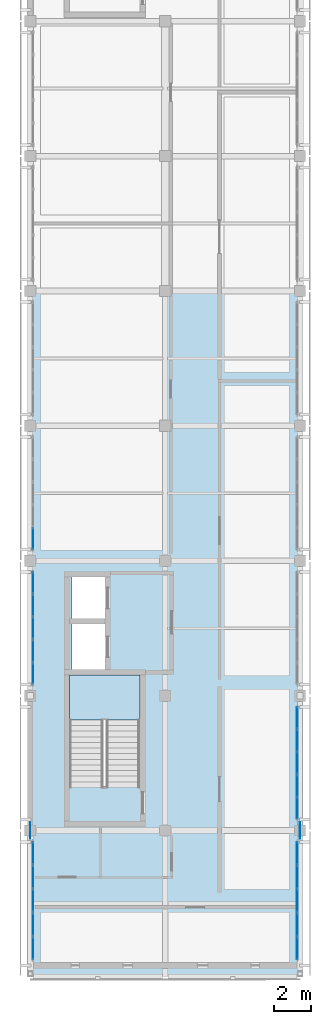
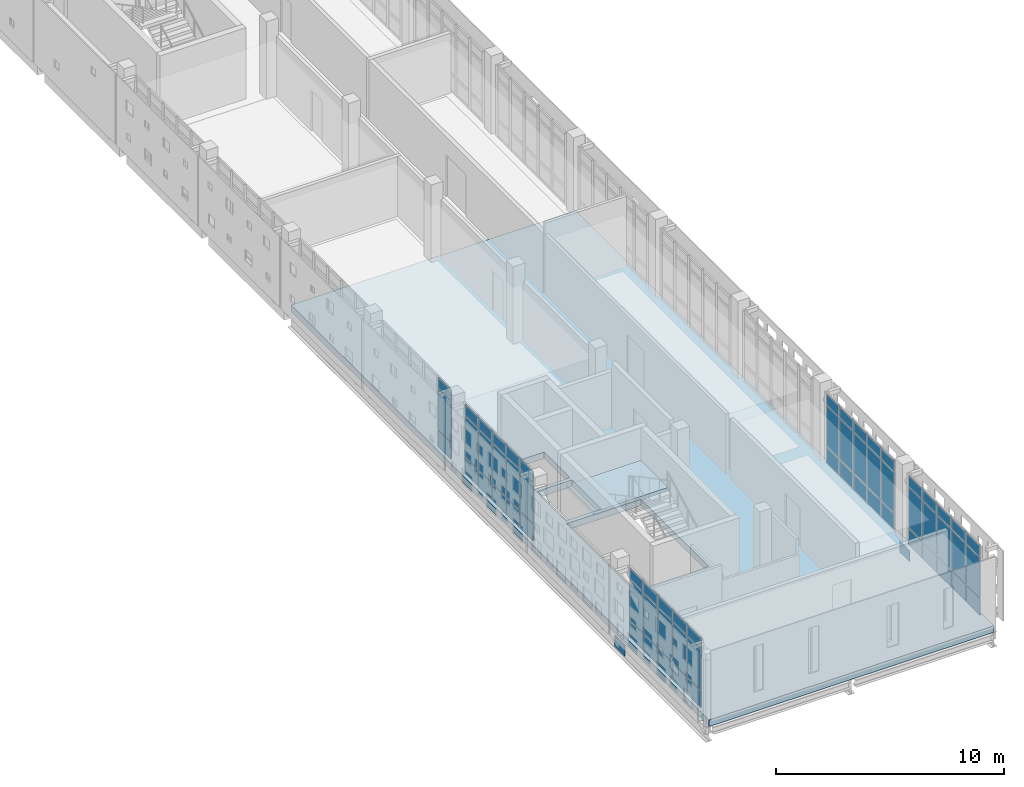
# One storey, part 11 of 21: 65 plates, 2 slabs, 6 elements without a shape of their own.
"""IFC4 building model written with IfcOpenShell, lengths in metres."""

from ifc_helpers import new_model, si_unit, direction, frame, origin, origin_2d, place, context, subcontext, project, spatial, polyline, rectangle, outline, extrude, material, layer, layer_set, type_object, element, aggregate, save


model = new_model("IFC4")

# Units and contexts
model_context = context("Model", 3, precision=1e-05, world=origin(), true_north=direction((0.0, 1.0)))
body_context = subcontext(model_context, "Body", "Model", "MODEL_VIEW")
ifc_project = project(units=[si_unit("LENGTHUNIT", "METRE"), si_unit("AREAUNIT", "SQUARE_METRE"), si_unit("VOLUMEUNIT", "CUBIC_METRE"), si_unit("PLANEANGLEUNIT", "RADIAN"), si_unit("MASSUNIT", "GRAM", prefix="KILO")], contexts=[model_context])

# Site, building, storey
site_placement = place(None, origin())
site = spatial("IfcSite", under=ifc_project, at=site_placement, CompositionType="ELEMENT")
building_placement = place(site_placement, origin())
building = spatial("IfcBuilding", under=site, at=building_placement, Name="Valkovuoma Quantum and Materials Research Institute", CompositionType="ELEMENT")
storey_placement = place(building_placement, frame((0.0, 0.0, 33.919921875)))
storey = spatial("IfcBuildingStorey", under=building, at=storey_placement, Name="L08", CompositionType="ELEMENT", Elevation=33.919921875)

# Curtain wall, plates
ifc_material_1 = material(Name="Thermally broken aluminium and triple low-E glazing", Category="aluminium")
ifc_layer_1 = layer(ifc_material_1, 0.219970703125)
ifc_layer_set_1 = layer_set([ifc_layer_1], Name="Thermally broken aluminium and triple low-E glazing")
curtain_wall_type = type_object("IfcCurtainWallType", Name="CW-CW-01", PredefinedType="NOTDEFINED", material=ifc_layer_set_1)
curtain_wall_1_placement = place(storey_placement, origin())
curtain_wall_1 = element("IfcCurtainWall", 1, at=curtain_wall_1_placement, inside=storey, type_object=curtain_wall_type, Name="L08 curtain wall 109", PredefinedType="NOTDEFINED")
ifc_material_2 = material(Name="Triple low-E argon insulating glass", Category="glass")
ifc_layer_2 = layer(ifc_material_2, 0.035888671875)
ifc_layer_set_2 = layer_set([ifc_layer_2], Name="Triple low-E argon insulating glass")
plate_type_1 = type_object("IfcPlateType", Name="CWPanel-CWP-01", PredefinedType="CURTAIN_PANEL", material=ifc_layer_set_2)
plate_1_placement = place(storey_placement, frame((0.14990234375, 22.521728515625, 0.06494140625), z_axis=(0.0, 0.0, 1.0), x_axis=(0.0, 1.0, 0.0)))
plate_1 = element("IfcPlate", 2, at=plate_1_placement, type_object=plate_type_1, Name="CW-01 panel 1.1", PredefinedType="CURTAIN_PANEL", context=body_context, shape_type="SweptSolid", body=[
    extrude(rectangle(XDim=1.177490234375, YDim=0.035888671875, at=origin_2d()), origin(), (0.0, 0.0, 1.0), 0.8525390625),
])
plate_2_placement = place(storey_placement, frame((0.14990234375, 22.521728515625, 0.982666015625), z_axis=(0.0, 0.0, 1.0), x_axis=(0.0, 1.0, 0.0)))
plate_2 = element("IfcPlate", 3, at=plate_2_placement, type_object=plate_type_1, Name="CW-01 panel 1.2", PredefinedType="CURTAIN_PANEL", context=body_context, shape_type="SweptSolid", body=[
    extrude(rectangle(XDim=1.177490234375, YDim=0.035888671875, at=origin_2d()), origin(), (0.0, 0.0, 1.0), 2.14501953125),
])
plate_3_placement = place(storey_placement, frame((0.14990234375, 22.521728515625, 3.1923828125), z_axis=(0.0, 0.0, 1.0), x_axis=(0.0, 1.0, 0.0)))
plate_3 = element("IfcPlate", 4, at=plate_3_placement, type_object=plate_type_1, Name="CW-01 panel 1.3", PredefinedType="CURTAIN_PANEL", context=body_context, shape_type="SweptSolid", body=[
    extrude(rectangle(XDim=1.177490234375, YDim=0.035888671875, at=origin_2d()), origin(), (0.0, 0.0, 1.0), 0.552490234375),
])
plate_4_placement = place(storey_placement, frame((0.14990234375, 23.780517578125, 0.06494140625), z_axis=(0.0, 0.0, 1.0), x_axis=(0.0, 1.0, 0.0)))
plate_4 = element("IfcPlate", 5, at=plate_4_placement, type_object=plate_type_1, Name="CW-01 panel 2.1", PredefinedType="CURTAIN_PANEL", context=body_context, shape_type="SweptSolid", body=[
    extrude(rectangle(XDim=1.2099609375, YDim=0.035888671875, at=origin_2d()), origin(), (0.0, 0.0, 1.0), 0.8525390625),
])
plate_5_placement = place(storey_placement, frame((0.14990234375, 23.780517578125, 0.982666015625), z_axis=(0.0, 0.0, 1.0), x_axis=(0.0, 1.0, 0.0)))
plate_5 = element("IfcPlate", 6, at=plate_5_placement, type_object=plate_type_1, Name="CW-01 panel 2.2", PredefinedType="CURTAIN_PANEL", context=body_context, shape_type="SweptSolid", body=[
    extrude(rectangle(XDim=1.2099609375, YDim=0.035888671875, at=origin_2d()), origin(), (0.0, 0.0, 1.0), 2.14501953125),
])
plate_6_placement = place(storey_placement, frame((0.14990234375, 23.780517578125, 3.1923828125), z_axis=(0.0, 0.0, 1.0), x_axis=(0.0, 1.0, 0.0)))
plate_6 = element("IfcPlate", 7, at=plate_6_placement, type_object=plate_type_1, Name="CW-01 panel 2.3", PredefinedType="CURTAIN_PANEL", context=body_context, shape_type="SweptSolid", body=[
    extrude(rectangle(XDim=1.2099609375, YDim=0.035888671875, at=origin_2d()), origin(), (0.0, 0.0, 1.0), 0.552490234375),
])
plate_7_placement = place(storey_placement, frame((0.14990234375, 25.055419921875, 0.06494140625), z_axis=(0.0, 0.0, 1.0), x_axis=(0.0, 1.0, 0.0)))
plate_7 = element("IfcPlate", 8, at=plate_7_placement, type_object=plate_type_1, Name="CW-01 panel 3.1", PredefinedType="CURTAIN_PANEL", context=body_context, shape_type="SweptSolid", body=[
    extrude(rectangle(XDim=1.2099609375, YDim=0.035888671875, at=origin_2d()), origin(), (0.0, 0.0, 1.0), 0.8525390625),
])
plate_8_placement = place(storey_placement, frame((0.14990234375, 25.055419921875, 0.982666015625), z_axis=(0.0, 0.0, 1.0), x_axis=(0.0, 1.0, 0.0)))
plate_8 = element("IfcPlate", 9, at=plate_8_placement, type_object=plate_type_1, Name="CW-01 panel 3.2", PredefinedType="CURTAIN_PANEL", context=body_context, shape_type="SweptSolid", body=[
    extrude(rectangle(XDim=1.2099609375, YDim=0.035888671875, at=origin_2d()), origin(), (0.0, 0.0, 1.0), 2.14501953125),
])
plate_9_placement = place(storey_placement, frame((0.14990234375, 25.055419921875, 3.1923828125), z_axis=(0.0, 0.0, 1.0), x_axis=(0.0, 1.0, 0.0)))
plate_9 = element("IfcPlate", 10, at=plate_9_placement, type_object=plate_type_1, Name="CW-01 panel 3.3", PredefinedType="CURTAIN_PANEL", context=body_context, shape_type="SweptSolid", body=[
    extrude(rectangle(XDim=1.2099609375, YDim=0.035888671875, at=origin_2d()), origin(), (0.0, 0.0, 1.0), 0.552490234375),
])
plate_10_placement = place(storey_placement, frame((0.14990234375, 26.330322265625, 0.06494140625), z_axis=(0.0, 0.0, 1.0), x_axis=(0.0, 1.0, 0.0)))
plate_10 = element("IfcPlate", 11, at=plate_10_placement, type_object=plate_type_1, Name="CW-01 panel 4.1", PredefinedType="CURTAIN_PANEL", context=body_context, shape_type="SweptSolid", body=[
    extrude(rectangle(XDim=1.2099609375, YDim=0.035888671875, at=origin_2d()), origin(), (0.0, 0.0, 1.0), 0.8525390625),
])
plate_11_placement = place(storey_placement, frame((0.14990234375, 26.330322265625, 0.982666015625), z_axis=(0.0, 0.0, 1.0), x_axis=(0.0, 1.0, 0.0)))
plate_11 = element("IfcPlate", 12, at=plate_11_placement, type_object=plate_type_1, Name="CW-01 panel 4.2", PredefinedType="CURTAIN_PANEL", context=body_context, shape_type="SweptSolid", body=[
    extrude(rectangle(XDim=1.2099609375, YDim=0.035888671875, at=origin_2d()), origin(), (0.0, 0.0, 1.0), 2.14501953125),
])
plate_12_placement = place(storey_placement, frame((0.14990234375, 26.330322265625, 3.1923828125), z_axis=(0.0, 0.0, 1.0), x_axis=(0.0, 1.0, 0.0)))
plate_12 = element("IfcPlate", 13, at=plate_12_placement, type_object=plate_type_1, Name="CW-01 panel 4.3", PredefinedType="CURTAIN_PANEL", context=body_context, shape_type="SweptSolid", body=[
    extrude(rectangle(XDim=1.2099609375, YDim=0.035888671875, at=origin_2d()), origin(), (0.0, 0.0, 1.0), 0.552490234375),
])
plate_13_placement = place(storey_placement, frame((0.14990234375, 27.589111328125, 0.06494140625), z_axis=(0.0, 0.0, 1.0), x_axis=(0.0, 1.0, 0.0)))
plate_13 = element("IfcPlate", 14, at=plate_13_placement, type_object=plate_type_1, Name="CW-01 panel 5.1", PredefinedType="CURTAIN_PANEL", context=body_context, shape_type="SweptSolid", body=[
    extrude(rectangle(XDim=1.177490234375, YDim=0.035888671875, at=origin_2d()), origin(), (0.0, 0.0, 1.0), 0.8525390625),
])
plate_14_placement = place(storey_placement, frame((0.14990234375, 27.589111328125, 0.982666015625), z_axis=(0.0, 0.0, 1.0), x_axis=(0.0, 1.0, 0.0)))
plate_14 = element("IfcPlate", 15, at=plate_14_placement, type_object=plate_type_1, Name="CW-01 panel 5.2", PredefinedType="CURTAIN_PANEL", context=body_context, shape_type="SweptSolid", body=[
    extrude(rectangle(XDim=1.177490234375, YDim=0.035888671875, at=origin_2d()), origin(), (0.0, 0.0, 1.0), 2.14501953125),
])
plate_15_placement = place(storey_placement, frame((0.14990234375, 27.589111328125, 3.1923828125), z_axis=(0.0, 0.0, 1.0), x_axis=(0.0, 1.0, 0.0)))
plate_15 = element("IfcPlate", 16, at=plate_15_placement, type_object=plate_type_1, Name="CW-01 panel 5.3", PredefinedType="CURTAIN_PANEL", context=body_context, shape_type="SweptSolid", body=[
    extrude(rectangle(XDim=1.177490234375, YDim=0.035888671875, at=origin_2d()), origin(), (0.0, 0.0, 1.0), 0.552490234375),
])
aggregate(curtain_wall_1, [plate_1, plate_2, plate_3, plate_4, plate_5, plate_6, plate_7, plate_8, plate_9, plate_10, plate_11, plate_12, plate_13, plate_14, plate_15])

curtain_wall_2_placement = place(storey_placement, origin())
curtain_wall_2 = element("IfcCurtainWall", 17, at=curtain_wall_2_placement, inside=storey, type_object=curtain_wall_type, Name="L08 curtain wall 112", PredefinedType="NOTDEFINED")
plate_16_placement = place(storey_placement, frame((0.14990234375, 37.181884765625, 0.06494140625), z_axis=(0.0, 0.0, 1.0), x_axis=(0.0, 1.0, 0.0)))
plate_16 = element("IfcPlate", 18, at=plate_16_placement, type_object=plate_type_1, Name="CW-01 panel 1.1", PredefinedType="CURTAIN_PANEL", context=body_context, shape_type="SweptSolid", body=[
    extrude(rectangle(XDim=1.11962890625, YDim=0.035888671875, at=origin_2d()), origin(), (0.0, 0.0, 1.0), 0.8525390625),
])
plate_17_placement = place(storey_placement, frame((0.14990234375, 37.181884765625, 0.982666015625), z_axis=(0.0, 0.0, 1.0), x_axis=(0.0, 1.0, 0.0)))
plate_17 = element("IfcPlate", 19, at=plate_17_placement, type_object=plate_type_1, Name="CW-01 panel 1.2", PredefinedType="CURTAIN_PANEL", context=body_context, shape_type="SweptSolid", body=[
    extrude(rectangle(XDim=1.11962890625, YDim=0.035888671875, at=origin_2d()), origin(), (0.0, 0.0, 1.0), 2.14501953125),
])
plate_18_placement = place(storey_placement, frame((0.14990234375, 37.181884765625, 3.1923828125), z_axis=(0.0, 0.0, 1.0), x_axis=(0.0, 1.0, 0.0)))
plate_18 = element("IfcPlate", 20, at=plate_18_placement, type_object=plate_type_1, Name="CW-01 panel 1.3", PredefinedType="CURTAIN_PANEL", context=body_context, shape_type="SweptSolid", body=[
    extrude(rectangle(XDim=1.11962890625, YDim=0.035888671875, at=origin_2d()), origin(), (0.0, 0.0, 1.0), 0.552490234375),
])
plate_19_placement = place(storey_placement, frame((0.14990234375, 38.3828125, 0.06494140625), z_axis=(0.0, 0.0, 1.0), x_axis=(0.0, 1.0, 0.0)))
plate_19 = element("IfcPlate", 21, at=plate_19_placement, type_object=plate_type_1, Name="CW-01 panel 2.1", PredefinedType="CURTAIN_PANEL", context=body_context, shape_type="SweptSolid", body=[
    extrude(rectangle(XDim=1.152099609375, YDim=0.035888671875, at=origin_2d()), origin(), (0.0, 0.0, 1.0), 0.8525390625),
])
plate_20_placement = place(storey_placement, frame((0.14990234375, 38.3828125, 0.982666015625), z_axis=(0.0, 0.0, 1.0), x_axis=(0.0, 1.0, 0.0)))
plate_20 = element("IfcPlate", 22, at=plate_20_placement, type_object=plate_type_1, Name="CW-01 panel 2.2", PredefinedType="CURTAIN_PANEL", context=body_context, shape_type="SweptSolid", body=[
    extrude(rectangle(XDim=1.152099609375, YDim=0.035888671875, at=origin_2d()), origin(), (0.0, 0.0, 1.0), 2.14501953125),
])
plate_21_placement = place(storey_placement, frame((0.14990234375, 38.3828125, 3.1923828125), z_axis=(0.0, 0.0, 1.0), x_axis=(0.0, 1.0, 0.0)))
plate_21 = element("IfcPlate", 23, at=plate_21_placement, type_object=plate_type_1, Name="CW-01 panel 2.3", PredefinedType="CURTAIN_PANEL", context=body_context, shape_type="SweptSolid", body=[
    extrude(rectangle(XDim=1.152099609375, YDim=0.035888671875, at=origin_2d()), origin(), (0.0, 0.0, 1.0), 0.552490234375),
])
plate_22_placement = place(storey_placement, frame((0.14990234375, 39.60009765625, 0.06494140625), z_axis=(0.0, 0.0, 1.0), x_axis=(0.0, 1.0, 0.0)))
plate_22 = element("IfcPlate", 24, at=plate_22_placement, type_object=plate_type_1, Name="CW-01 panel 3.1", PredefinedType="CURTAIN_PANEL", context=body_context, shape_type="SweptSolid", body=[
    extrude(rectangle(XDim=1.152099609375, YDim=0.035888671875, at=origin_2d()), origin(), (0.0, 0.0, 1.0), 0.8525390625),
])
plate_23_placement = place(storey_placement, frame((0.14990234375, 39.60009765625, 0.982666015625), z_axis=(0.0, 0.0, 1.0), x_axis=(0.0, 1.0, 0.0)))
plate_23 = element("IfcPlate", 25, at=plate_23_placement, type_object=plate_type_1, Name="CW-01 panel 3.2", PredefinedType="CURTAIN_PANEL", context=body_context, shape_type="SweptSolid", body=[
    extrude(rectangle(XDim=1.152099609375, YDim=0.035888671875, at=origin_2d()), origin(), (0.0, 0.0, 1.0), 2.14501953125),
])
plate_24_placement = place(storey_placement, frame((0.14990234375, 39.60009765625, 3.1923828125), z_axis=(0.0, 0.0, 1.0), x_axis=(0.0, 1.0, 0.0)))
plate_24 = element("IfcPlate", 26, at=plate_24_placement, type_object=plate_type_1, Name="CW-01 panel 3.3", PredefinedType="CURTAIN_PANEL", context=body_context, shape_type="SweptSolid", body=[
    extrude(rectangle(XDim=1.152099609375, YDim=0.035888671875, at=origin_2d()), origin(), (0.0, 0.0, 1.0), 0.552490234375),
])
plate_25_placement = place(storey_placement, frame((0.14990234375, 40.817138671875, 0.06494140625), z_axis=(0.0, 0.0, 1.0), x_axis=(0.0, 1.0, 0.0)))
plate_25 = element("IfcPlate", 27, at=plate_25_placement, type_object=plate_type_1, Name="CW-01 panel 4.1", PredefinedType="CURTAIN_PANEL", context=body_context, shape_type="SweptSolid", body=[
    extrude(rectangle(XDim=1.152099609375, YDim=0.035888671875, at=origin_2d()), origin(), (0.0, 0.0, 1.0), 0.8525390625),
])
plate_26_placement = place(storey_placement, frame((0.14990234375, 40.817138671875, 0.982666015625), z_axis=(0.0, 0.0, 1.0), x_axis=(0.0, 1.0, 0.0)))
plate_26 = element("IfcPlate", 28, at=plate_26_placement, type_object=plate_type_1, Name="CW-01 panel 4.2", PredefinedType="CURTAIN_PANEL", context=body_context, shape_type="SweptSolid", body=[
    extrude(rectangle(XDim=1.152099609375, YDim=0.035888671875, at=origin_2d()), origin(), (0.0, 0.0, 1.0), 2.14501953125),
])
plate_27_placement = place(storey_placement, frame((0.14990234375, 40.817138671875, 3.1923828125), z_axis=(0.0, 0.0, 1.0), x_axis=(0.0, 1.0, 0.0)))
plate_27 = element("IfcPlate", 29, at=plate_27_placement, type_object=plate_type_1, Name="CW-01 panel 4.3", PredefinedType="CURTAIN_PANEL", context=body_context, shape_type="SweptSolid", body=[
    extrude(rectangle(XDim=1.152099609375, YDim=0.035888671875, at=origin_2d()), origin(), (0.0, 0.0, 1.0), 0.552490234375),
])
plate_28_placement = place(storey_placement, frame((0.14990234375, 42.01806640625, 0.06494140625), z_axis=(0.0, 0.0, 1.0), x_axis=(0.0, 1.0, 0.0)))
plate_28 = element("IfcPlate", 30, at=plate_28_placement, type_object=plate_type_1, Name="CW-01 panel 5.1", PredefinedType="CURTAIN_PANEL", context=body_context, shape_type="SweptSolid", body=[
    extrude(rectangle(XDim=1.11962890625, YDim=0.035888671875, at=origin_2d()), origin(), (0.0, 0.0, 1.0), 0.8525390625),
])
plate_29_placement = place(storey_placement, frame((0.14990234375, 42.01806640625, 0.982666015625), z_axis=(0.0, 0.0, 1.0), x_axis=(0.0, 1.0, 0.0)))
plate_29 = element("IfcPlate", 31, at=plate_29_placement, type_object=plate_type_1, Name="CW-01 panel 5.2", PredefinedType="CURTAIN_PANEL", context=body_context, shape_type="SweptSolid", body=[
    extrude(rectangle(XDim=1.11962890625, YDim=0.035888671875, at=origin_2d()), origin(), (0.0, 0.0, 1.0), 2.14501953125),
])
plate_30_placement = place(storey_placement, frame((0.14990234375, 42.01806640625, 3.1923828125), z_axis=(0.0, 0.0, 1.0), x_axis=(0.0, 1.0, 0.0)))
plate_30 = element("IfcPlate", 32, at=plate_30_placement, type_object=plate_type_1, Name="CW-01 panel 5.3", PredefinedType="CURTAIN_PANEL", context=body_context, shape_type="SweptSolid", body=[
    extrude(rectangle(XDim=1.11962890625, YDim=0.035888671875, at=origin_2d()), origin(), (0.0, 0.0, 1.0), 0.552490234375),
])
aggregate(curtain_wall_2, [plate_16, plate_17, plate_18, plate_19, plate_20, plate_21, plate_22, plate_23, plate_24, plate_25, plate_26, plate_27, plate_28, plate_29, plate_30])

curtain_wall_3_placement = place(storey_placement, origin())
curtain_wall_3 = element("IfcCurtainWall", 33, at=curtain_wall_3_placement, inside=storey, type_object=curtain_wall_type, Name="L08 curtain wall 114", PredefinedType="NOTDEFINED")
plate_31_placement = place(storey_placement, frame((0.14990234375, 44.3818359375, 0.06494140625), z_axis=(0.0, 0.0, 1.0), x_axis=(0.0, 1.0, 0.0)))
plate_31 = element("IfcPlate", 34, at=plate_31_placement, type_object=plate_type_1, Name="CW-01 panel 1.1", PredefinedType="CURTAIN_PANEL", context=body_context, shape_type="SweptSolid", body=[
    extrude(rectangle(XDim=1.11962890625, YDim=0.035888671875, at=origin_2d()), origin(), (0.0, 0.0, 1.0), 0.8525390625),
])
plate_32_placement = place(storey_placement, frame((0.14990234375, 44.3818359375, 0.982666015625), z_axis=(0.0, 0.0, 1.0), x_axis=(0.0, 1.0, 0.0)))
plate_32 = element("IfcPlate", 35, at=plate_32_placement, type_object=plate_type_1, Name="CW-01 panel 1.2", PredefinedType="CURTAIN_PANEL", context=body_context, shape_type="SweptSolid", body=[
    extrude(rectangle(XDim=1.11962890625, YDim=0.035888671875, at=origin_2d()), origin(), (0.0, 0.0, 1.0), 2.14501953125),
])
plate_33_placement = place(storey_placement, frame((0.14990234375, 44.3818359375, 3.1923828125), z_axis=(0.0, 0.0, 1.0), x_axis=(0.0, 1.0, 0.0)))
plate_33 = element("IfcPlate", 36, at=plate_33_placement, type_object=plate_type_1, Name="CW-01 panel 1.3", PredefinedType="CURTAIN_PANEL", context=body_context, shape_type="SweptSolid", body=[
    extrude(rectangle(XDim=1.11962890625, YDim=0.035888671875, at=origin_2d()), origin(), (0.0, 0.0, 1.0), 0.552490234375),
])
aggregate(curtain_wall_3, [plate_31, plate_32, plate_33])

curtain_wall_4_placement = place(storey_placement, origin())
curtain_wall_4 = element("IfcCurtainWall", 37, at=curtain_wall_4_placement, inside=storey, type_object=curtain_wall_type, Name="L08 curtain wall 110", PredefinedType="NOTDEFINED")
ifc_material_3 = material(Name="Triple low-E argon insulating glass", Category="glass")
ifc_layer_3 = layer(ifc_material_3, 0.0419921875)
ifc_layer_set_3 = layer_set([ifc_layer_3], Name="Triple low-E argon insulating glass")
plate_type_2 = type_object("IfcPlateType", Name="CWPanel-CWP-02", PredefinedType="CURTAIN_PANEL", material=ifc_layer_set_3)
plate_34_placement = place(storey_placement, frame((14.25, 22.521728515625, 0.06494140625), z_axis=(0.0, 0.0, 1.0), x_axis=(0.0, 1.0, 0.0)))
plate_34 = element("IfcPlate", 38, at=plate_34_placement, type_object=plate_type_2, Name="CW-01 panel 1.1", PredefinedType="CURTAIN_PANEL", context=body_context, shape_type="SweptSolid", body=[
    extrude(rectangle(XDim=1.177490234375, YDim=0.0419921875, at=origin_2d()), origin(), (0.0, 0.0, 1.0), 0.8525390625),
])
plate_35_placement = place(storey_placement, frame((14.25, 22.521728515625, 0.982666015625), z_axis=(0.0, 0.0, 1.0), x_axis=(0.0, 1.0, 0.0)))
plate_35 = element("IfcPlate", 39, at=plate_35_placement, type_object=plate_type_2, Name="CW-01 panel 1.2", PredefinedType="CURTAIN_PANEL", context=body_context, shape_type="SweptSolid", body=[
    extrude(rectangle(XDim=1.177490234375, YDim=0.0419921875, at=origin_2d()), origin(), (0.0, 0.0, 1.0), 2.14501953125),
])
plate_36_placement = place(storey_placement, frame((14.25, 22.521728515625, 3.1923828125), z_axis=(0.0, 0.0, 1.0), x_axis=(0.0, 1.0, 0.0)))
plate_36 = element("IfcPlate", 40, at=plate_36_placement, type_object=plate_type_2, Name="CW-01 panel 1.3", PredefinedType="CURTAIN_PANEL", context=body_context, shape_type="SweptSolid", body=[
    extrude(rectangle(XDim=1.177490234375, YDim=0.0419921875, at=origin_2d()), origin(), (0.0, 0.0, 1.0), 0.552490234375),
])
plate_37_placement = place(storey_placement, frame((14.25, 23.780517578125, 0.06494140625), z_axis=(0.0, 0.0, 1.0), x_axis=(0.0, 1.0, 0.0)))
plate_37 = element("IfcPlate", 41, at=plate_37_placement, type_object=plate_type_2, Name="CW-01 panel 2.1", PredefinedType="CURTAIN_PANEL", context=body_context, shape_type="SweptSolid", body=[
    extrude(rectangle(XDim=1.2099609375, YDim=0.0419921875, at=origin_2d()), origin(), (0.0, 0.0, 1.0), 0.8525390625),
])
plate_38_placement = place(storey_placement, frame((14.25, 23.780517578125, 0.982666015625), z_axis=(0.0, 0.0, 1.0), x_axis=(0.0, 1.0, 0.0)))
plate_38 = element("IfcPlate", 42, at=plate_38_placement, type_object=plate_type_2, Name="CW-01 panel 2.2", PredefinedType="CURTAIN_PANEL", context=body_context, shape_type="SweptSolid", body=[
    extrude(rectangle(XDim=1.2099609375, YDim=0.0419921875, at=origin_2d()), origin(), (0.0, 0.0, 1.0), 2.14501953125),
])
plate_39_placement = place(storey_placement, frame((14.25, 23.780517578125, 3.1923828125), z_axis=(0.0, 0.0, 1.0), x_axis=(0.0, 1.0, 0.0)))
plate_39 = element("IfcPlate", 43, at=plate_39_placement, type_object=plate_type_2, Name="CW-01 panel 2.3", PredefinedType="CURTAIN_PANEL", context=body_context, shape_type="SweptSolid", body=[
    extrude(rectangle(XDim=1.2099609375, YDim=0.0419921875, at=origin_2d()), origin(), (0.0, 0.0, 1.0), 0.552490234375),
])
plate_40_placement = place(storey_placement, frame((14.25, 25.055419921875, 0.06494140625), z_axis=(0.0, 0.0, 1.0), x_axis=(0.0, 1.0, 0.0)))
plate_40 = element("IfcPlate", 44, at=plate_40_placement, type_object=plate_type_2, Name="CW-01 panel 3.1", PredefinedType="CURTAIN_PANEL", context=body_context, shape_type="SweptSolid", body=[
    extrude(rectangle(XDim=1.2099609375, YDim=0.0419921875, at=origin_2d()), origin(), (0.0, 0.0, 1.0), 0.8525390625),
])
plate_41_placement = place(storey_placement, frame((14.25, 25.055419921875, 0.982666015625), z_axis=(0.0, 0.0, 1.0), x_axis=(0.0, 1.0, 0.0)))
plate_41 = element("IfcPlate", 45, at=plate_41_placement, type_object=plate_type_2, Name="CW-01 panel 3.2", PredefinedType="CURTAIN_PANEL", context=body_context, shape_type="SweptSolid", body=[
    extrude(rectangle(XDim=1.2099609375, YDim=0.0419921875, at=origin_2d()), origin(), (0.0, 0.0, 1.0), 2.14501953125),
])
plate_42_placement = place(storey_placement, frame((14.25, 25.055419921875, 3.1923828125), z_axis=(0.0, 0.0, 1.0), x_axis=(0.0, 1.0, 0.0)))
plate_42 = element("IfcPlate", 46, at=plate_42_placement, type_object=plate_type_2, Name="CW-01 panel 3.3", PredefinedType="CURTAIN_PANEL", context=body_context, shape_type="SweptSolid", body=[
    extrude(rectangle(XDim=1.2099609375, YDim=0.0419921875, at=origin_2d()), origin(), (0.0, 0.0, 1.0), 0.552490234375),
])
plate_43_placement = place(storey_placement, frame((14.25, 26.330322265625, 0.06494140625), z_axis=(0.0, 0.0, 1.0), x_axis=(0.0, 1.0, 0.0)))
plate_43 = element("IfcPlate", 47, at=plate_43_placement, type_object=plate_type_2, Name="CW-01 panel 4.1", PredefinedType="CURTAIN_PANEL", context=body_context, shape_type="SweptSolid", body=[
    extrude(rectangle(XDim=1.2099609375, YDim=0.0419921875, at=origin_2d()), origin(), (0.0, 0.0, 1.0), 0.8525390625),
])
plate_44_placement = place(storey_placement, frame((14.25, 26.330322265625, 0.982666015625), z_axis=(0.0, 0.0, 1.0), x_axis=(0.0, 1.0, 0.0)))
plate_44 = element("IfcPlate", 48, at=plate_44_placement, type_object=plate_type_2, Name="CW-01 panel 4.2", PredefinedType="CURTAIN_PANEL", context=body_context, shape_type="SweptSolid", body=[
    extrude(rectangle(XDim=1.2099609375, YDim=0.0419921875, at=origin_2d()), origin(), (0.0, 0.0, 1.0), 2.14501953125),
])
plate_45_placement = place(storey_placement, frame((14.25, 26.330322265625, 3.1923828125), z_axis=(0.0, 0.0, 1.0), x_axis=(0.0, 1.0, 0.0)))
plate_45 = element("IfcPlate", 49, at=plate_45_placement, type_object=plate_type_2, Name="CW-01 panel 4.3", PredefinedType="CURTAIN_PANEL", context=body_context, shape_type="SweptSolid", body=[
    extrude(rectangle(XDim=1.2099609375, YDim=0.0419921875, at=origin_2d()), origin(), (0.0, 0.0, 1.0), 0.552490234375),
])
plate_46_placement = place(storey_placement, frame((14.25, 27.589111328125, 0.06494140625), z_axis=(0.0, 0.0, 1.0), x_axis=(0.0, 1.0, 0.0)))
plate_46 = element("IfcPlate", 50, at=plate_46_placement, type_object=plate_type_2, Name="CW-01 panel 5.1", PredefinedType="CURTAIN_PANEL", context=body_context, shape_type="SweptSolid", body=[
    extrude(rectangle(XDim=1.177490234375, YDim=0.0419921875, at=origin_2d()), origin(), (0.0, 0.0, 1.0), 0.8525390625),
])
plate_47_placement = place(storey_placement, frame((14.25, 27.589111328125, 0.982666015625), z_axis=(0.0, 0.0, 1.0), x_axis=(0.0, 1.0, 0.0)))
plate_47 = element("IfcPlate", 51, at=plate_47_placement, type_object=plate_type_2, Name="CW-01 panel 5.2", PredefinedType="CURTAIN_PANEL", context=body_context, shape_type="SweptSolid", body=[
    extrude(rectangle(XDim=1.177490234375, YDim=0.0419921875, at=origin_2d()), origin(), (0.0, 0.0, 1.0), 2.14501953125),
])
plate_48_placement = place(storey_placement, frame((14.25, 27.589111328125, 3.1923828125), z_axis=(0.0, 0.0, 1.0), x_axis=(0.0, 1.0, 0.0)))
plate_48 = element("IfcPlate", 52, at=plate_48_placement, type_object=plate_type_2, Name="CW-01 panel 5.3", PredefinedType="CURTAIN_PANEL", context=body_context, shape_type="SweptSolid", body=[
    extrude(rectangle(XDim=1.177490234375, YDim=0.0419921875, at=origin_2d()), origin(), (0.0, 0.0, 1.0), 0.552490234375),
])
aggregate(curtain_wall_4, [plate_34, plate_35, plate_36, plate_37, plate_38, plate_39, plate_40, plate_41, plate_42, plate_43, plate_44, plate_45, plate_46, plate_47, plate_48])

curtain_wall_5_placement = place(storey_placement, origin())
curtain_wall_5 = element("IfcCurtainWall", 53, at=curtain_wall_5_placement, inside=storey, type_object=curtain_wall_type, Name="L08 curtain wall 111", PredefinedType="NOTDEFINED")
plate_49_placement = place(storey_placement, frame((14.25, 29.98193359375, 0.06494140625), z_axis=(0.0, 0.0, 1.0), x_axis=(0.0, 1.0, 0.0)))
plate_49 = element("IfcPlate", 54, at=plate_49_placement, type_object=plate_type_2, Name="CW-01 panel 1.1", PredefinedType="CURTAIN_PANEL", context=body_context, shape_type="SweptSolid", body=[
    extrude(rectangle(XDim=1.11962890625, YDim=0.0419921875, at=origin_2d()), origin(), (0.0, 0.0, 1.0), 0.8525390625),
])
plate_50_placement = place(storey_placement, frame((14.25, 29.98193359375, 0.982666015625), z_axis=(0.0, 0.0, 1.0), x_axis=(0.0, 1.0, 0.0)))
plate_50 = element("IfcPlate", 55, at=plate_50_placement, type_object=plate_type_2, Name="CW-01 panel 1.2", PredefinedType="CURTAIN_PANEL", context=body_context, shape_type="SweptSolid", body=[
    extrude(rectangle(XDim=1.11962890625, YDim=0.0419921875, at=origin_2d()), origin(), (0.0, 0.0, 1.0), 2.14501953125),
])
plate_51_placement = place(storey_placement, frame((14.25, 29.98193359375, 3.1923828125), z_axis=(0.0, 0.0, 1.0), x_axis=(0.0, 1.0, 0.0)))
plate_51 = element("IfcPlate", 56, at=plate_51_placement, type_object=plate_type_2, Name="CW-01 panel 1.3", PredefinedType="CURTAIN_PANEL", context=body_context, shape_type="SweptSolid", body=[
    extrude(rectangle(XDim=1.11962890625, YDim=0.0419921875, at=origin_2d()), origin(), (0.0, 0.0, 1.0), 0.552490234375),
])
plate_52_placement = place(storey_placement, frame((14.25, 31.182861328125, 0.06494140625), z_axis=(0.0, 0.0, 1.0), x_axis=(0.0, 1.0, 0.0)))
plate_52 = element("IfcPlate", 57, at=plate_52_placement, type_object=plate_type_2, Name="CW-01 panel 2.1", PredefinedType="CURTAIN_PANEL", context=body_context, shape_type="SweptSolid", body=[
    extrude(rectangle(XDim=1.152099609375, YDim=0.0419921875, at=origin_2d()), origin(), (0.0, 0.0, 1.0), 0.8525390625),
])
plate_53_placement = place(storey_placement, frame((14.25, 31.182861328125, 0.982666015625), z_axis=(0.0, 0.0, 1.0), x_axis=(0.0, 1.0, 0.0)))
plate_53 = element("IfcPlate", 58, at=plate_53_placement, type_object=plate_type_2, Name="CW-01 panel 2.2", PredefinedType="CURTAIN_PANEL", context=body_context, shape_type="SweptSolid", body=[
    extrude(rectangle(XDim=1.152099609375, YDim=0.0419921875, at=origin_2d()), origin(), (0.0, 0.0, 1.0), 2.14501953125),
])
plate_54_placement = place(storey_placement, frame((14.25, 31.182861328125, 3.1923828125), z_axis=(0.0, 0.0, 1.0), x_axis=(0.0, 1.0, 0.0)))
plate_54 = element("IfcPlate", 59, at=plate_54_placement, type_object=plate_type_2, Name="CW-01 panel 2.3", PredefinedType="CURTAIN_PANEL", context=body_context, shape_type="SweptSolid", body=[
    extrude(rectangle(XDim=1.152099609375, YDim=0.0419921875, at=origin_2d()), origin(), (0.0, 0.0, 1.0), 0.552490234375),
])
plate_55_placement = place(storey_placement, frame((14.25, 32.39990234375, 0.06494140625), z_axis=(0.0, 0.0, 1.0), x_axis=(0.0, 1.0, 0.0)))
plate_55 = element("IfcPlate", 60, at=plate_55_placement, type_object=plate_type_2, Name="CW-01 panel 3.1", PredefinedType="CURTAIN_PANEL", context=body_context, shape_type="SweptSolid", body=[
    extrude(rectangle(XDim=1.152099609375, YDim=0.0419921875, at=origin_2d()), origin(), (0.0, 0.0, 1.0), 0.8525390625),
])
plate_56_placement = place(storey_placement, frame((14.25, 32.39990234375, 0.982666015625), z_axis=(0.0, 0.0, 1.0), x_axis=(0.0, 1.0, 0.0)))
plate_56 = element("IfcPlate", 61, at=plate_56_placement, type_object=plate_type_2, Name="CW-01 panel 3.2", PredefinedType="CURTAIN_PANEL", context=body_context, shape_type="SweptSolid", body=[
    extrude(rectangle(XDim=1.152099609375, YDim=0.0419921875, at=origin_2d()), origin(), (0.0, 0.0, 1.0), 2.14501953125),
])
plate_57_placement = place(storey_placement, frame((14.25, 32.39990234375, 3.1923828125), z_axis=(0.0, 0.0, 1.0), x_axis=(0.0, 1.0, 0.0)))
plate_57 = element("IfcPlate", 62, at=plate_57_placement, type_object=plate_type_2, Name="CW-01 panel 3.3", PredefinedType="CURTAIN_PANEL", context=body_context, shape_type="SweptSolid", body=[
    extrude(rectangle(XDim=1.152099609375, YDim=0.0419921875, at=origin_2d()), origin(), (0.0, 0.0, 1.0), 0.552490234375),
])
plate_58_placement = place(storey_placement, frame((14.25, 33.6171875, 0.06494140625), z_axis=(0.0, 0.0, 1.0), x_axis=(0.0, 1.0, 0.0)))
plate_58 = element("IfcPlate", 63, at=plate_58_placement, type_object=plate_type_2, Name="CW-01 panel 4.1", PredefinedType="CURTAIN_PANEL", context=body_context, shape_type="SweptSolid", body=[
    extrude(rectangle(XDim=1.152099609375, YDim=0.0419921875, at=origin_2d()), origin(), (0.0, 0.0, 1.0), 0.8525390625),
])
plate_59_placement = place(storey_placement, frame((14.25, 33.6171875, 0.982666015625), z_axis=(0.0, 0.0, 1.0), x_axis=(0.0, 1.0, 0.0)))
plate_59 = element("IfcPlate", 64, at=plate_59_placement, type_object=plate_type_2, Name="CW-01 panel 4.2", PredefinedType="CURTAIN_PANEL", context=body_context, shape_type="SweptSolid", body=[
    extrude(rectangle(XDim=1.152099609375, YDim=0.0419921875, at=origin_2d()), origin(), (0.0, 0.0, 1.0), 2.14501953125),
])
plate_60_placement = place(storey_placement, frame((14.25, 33.6171875, 3.1923828125), z_axis=(0.0, 0.0, 1.0), x_axis=(0.0, 1.0, 0.0)))
plate_60 = element("IfcPlate", 65, at=plate_60_placement, type_object=plate_type_2, Name="CW-01 panel 4.3", PredefinedType="CURTAIN_PANEL", context=body_context, shape_type="SweptSolid", body=[
    extrude(rectangle(XDim=1.152099609375, YDim=0.0419921875, at=origin_2d()), origin(), (0.0, 0.0, 1.0), 0.552490234375),
])
plate_61_placement = place(storey_placement, frame((14.25, 34.818115234375, 0.06494140625), z_axis=(0.0, 0.0, 1.0), x_axis=(0.0, 1.0, 0.0)))
plate_61 = element("IfcPlate", 66, at=plate_61_placement, type_object=plate_type_2, Name="CW-01 panel 5.1", PredefinedType="CURTAIN_PANEL", context=body_context, shape_type="SweptSolid", body=[
    extrude(rectangle(XDim=1.11962890625, YDim=0.0419921875, at=origin_2d()), origin(), (0.0, 0.0, 1.0), 0.8525390625),
])
plate_62_placement = place(storey_placement, frame((14.25, 34.818115234375, 0.982666015625), z_axis=(0.0, 0.0, 1.0), x_axis=(0.0, 1.0, 0.0)))
plate_62 = element("IfcPlate", 67, at=plate_62_placement, type_object=plate_type_2, Name="CW-01 panel 5.2", PredefinedType="CURTAIN_PANEL", context=body_context, shape_type="SweptSolid", body=[
    extrude(rectangle(XDim=1.11962890625, YDim=0.0419921875, at=origin_2d()), origin(), (0.0, 0.0, 1.0), 2.14501953125),
])
plate_63_placement = place(storey_placement, frame((14.25, 34.818115234375, 3.1923828125), z_axis=(0.0, 0.0, 1.0), x_axis=(0.0, 1.0, 0.0)))
plate_63 = element("IfcPlate", 68, at=plate_63_placement, type_object=plate_type_2, Name="CW-01 panel 5.3", PredefinedType="CURTAIN_PANEL", context=body_context, shape_type="SweptSolid", body=[
    extrude(rectangle(XDim=1.11962890625, YDim=0.0419921875, at=origin_2d()), origin(), (0.0, 0.0, 1.0), 0.552490234375),
])
aggregate(curtain_wall_5, [plate_49, plate_50, plate_51, plate_52, plate_53, plate_54, plate_55, plate_56, plate_57, plate_58, plate_59, plate_60, plate_61, plate_62, plate_63])

# Plates
ifc_material_4 = material(Name="Steel S355J2", Category="steel")
plate_type_3 = type_object("IfcPlateType", Name="Plate-PL-GUS3", PredefinedType="USERDEFINED", material=ifc_material_4)
for number, where, z_axis, x_axis, name in (
    (69, (0.0, 28.800048828125, -1.050048828125), (0.0, 0.0, 1.0), (0.0, 1.0, 0.0), "L08 cantilever gusset plate 0"),
    (70, (14.39990234375, 28.800048828125, -1.050048828125), (0.0, 0.0, 1.0), (0.0, 1.0, 0.0), "L08 cantilever gusset plate 1"),
):
    element("IfcPlate", number, at=place(storey_placement, frame(where, z_axis=z_axis, x_axis=x_axis)), inside=storey, type_object=plate_type_3, Name=name, ObjectType="GUSSET_PLATE", PredefinedType="USERDEFINED", context=body_context, shape_type="SweptSolid", body=[
        extrude(rectangle(XDim=0.89990234375, YDim=0.02490234375, at=origin_2d()), origin(), (0.0, 0.0, 1.0), 0.60009765625),
    ])

# Slab
ifc_material_5 = material(Name="Concrete C40/50", Category="concrete")
ifc_layer_4 = layer(ifc_material_5, 0.35009765625)
ifc_layer_set_4 = layer_set([ifc_layer_4], Name="Concrete C40/50")
slab_type_1 = type_object("IfcSlabType", Name="Slab-SL-FL350", PredefinedType="FLOOR", material=ifc_layer_set_4)
slab_1_placement = place(storey_placement, frame((0.0, 0.0, -0.349853515625)))
element("IfcSlab", 71, at=slab_1_placement, inside=storey, type_object=slab_type_1, Name="L08 vol5_drylab structural slab 1", PredefinedType="FLOOR", context=body_context, shape_type="SweptSolid", body=[
    extrude(outline(polyline([(0.0, 21.0), (14.39990234375, 21.0), (14.39990234375, 57.60009765625), (0.0, 57.60009765625), (0.0, 21.0)]), holes=[polyline([(2.10009765625, 31.159912109375), (5.85009765625, 31.159912109375), (5.85009765625, 37.10009765625), (2.10009765625, 37.10009765625), (2.10009765625, 31.159912109375)]), polyline([(2.219970703125, 37.320068359375), (3.97998046875, 37.320068359375), (3.97998046875, 39.8798828125), (2.219970703125, 39.8798828125), (2.219970703125, 37.320068359375)]), polyline([(2.219970703125, 40.070068359375), (3.97998046875, 40.070068359375), (3.97998046875, 42.330078125), (2.219970703125, 42.330078125), (2.219970703125, 40.070068359375)])]), origin(), (0.0, 0.0, 1.0), 0.349853515625),
])

# Stair, slab
ifc_material_6 = material(Name="Concrete C40/50", Category="concrete")
stair_type = type_object("IfcStairType", Name="Stair-ST-COR", PredefinedType="HALF_TURN_STAIR", material=ifc_material_6)
stair_placement = place(storey_placement, origin())
stair = element("IfcStair", 72, at=stair_placement, inside=storey, type_object=stair_type, Name="L08 Exit Stair ST-1", PredefinedType="HALF_TURN_STAIR")
ifc_material_7 = material(Name="Concrete C40/50", Category="concrete")
ifc_layer_5 = layer(ifc_material_7, 0.199951171875)
ifc_layer_set_5 = layer_set([ifc_layer_5], Name="Concrete C40/50")
slab_type_2 = type_object("IfcSlabType", Name="Slab-SL-LND200", PredefinedType="LANDING", material=ifc_layer_set_5)
slab_2_placement = place(storey_placement, frame((0.0, 0.0, 1.880126953125)))
slab_2 = element("IfcSlab", 73, at=slab_2_placement, type_object=slab_type_2, Name="ST-1 landing 1", PredefinedType="LANDING", context=body_context, shape_type="SweptSolid", body=[
    extrude(outline(polyline([(5.85009765625, 34.699951171875), (5.85009765625, 37.10009765625), (2.10009765625, 37.10009765625), (2.10009765625, 34.699951171875), (5.85009765625, 34.699951171875)])), origin(), (0.0, 0.0, 1.0), 0.199951171875),
])
aggregate(stair, [slab_2])

save(model, "model.ifc")
